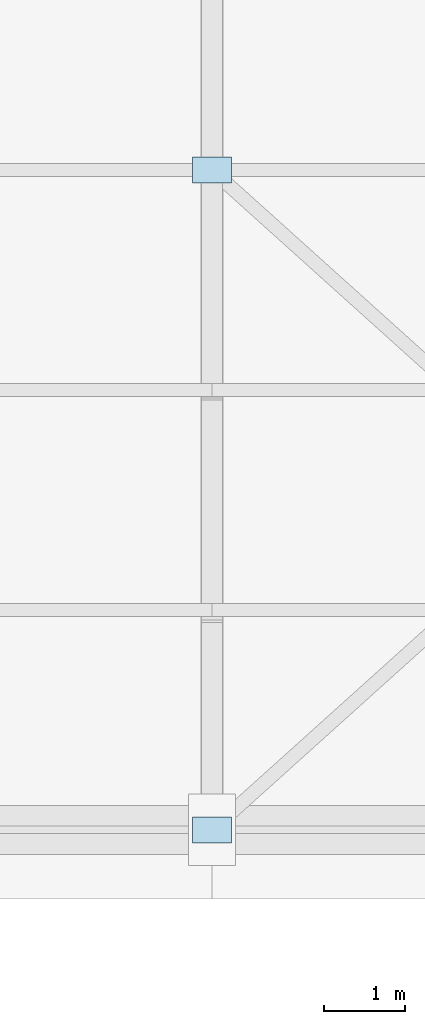
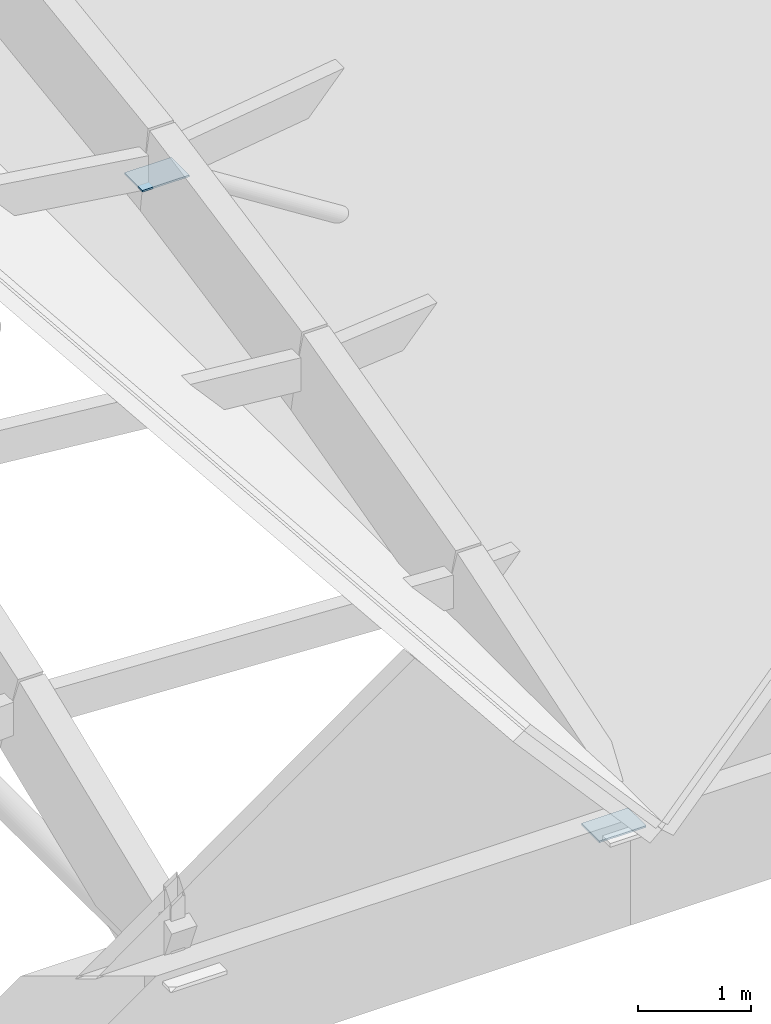
# One storey, part 32 of 39: 2 plates.
"""IFC4 building model written with IfcOpenShell, lengths in metres."""

from ifc_helpers import new_model, si_unit, direction, frame, origin, origin_2d, place, context, subcontext, project, spatial, rectangle, extrude, material, layer, layer_set, type_object, element, save


model = new_model("IFC4")

# Units and contexts
model_context = context("Model", 3, precision=1e-05, world=origin(), true_north=direction((0.0, 1.0)))
body_context = subcontext(model_context, "Body", "Model", "MODEL_VIEW")
ifc_project = project(units=[si_unit("LENGTHUNIT", "METRE"), si_unit("AREAUNIT", "SQUARE_METRE"), si_unit("VOLUMEUNIT", "CUBIC_METRE"), si_unit("PLANEANGLEUNIT", "RADIAN"), si_unit("MASSUNIT", "GRAM", prefix="KILO")], contexts=[model_context])

# Site, building, storey
site_placement = place(None, origin())
site = spatial("IfcSite", under=ifc_project, at=site_placement, CompositionType="ELEMENT")
building_placement = place(site_placement, origin())
building = spatial("IfcBuilding", under=site, at=building_placement, Name="Tizgana Railside Sports Hall", CompositionType="ELEMENT")
storey_placement = place(building_placement, frame((0.0, 0.0, 23.699951171875)))
storey = spatial("IfcBuildingStorey", under=building, at=storey_placement, Name="RF", CompositionType="ELEMENT", Elevation=23.699951171875)

# Plates
ifc_material = material(Name="Steel S355J2", Category="steel")
ifc_layer = layer(ifc_material, 0.01806640625, Name="Steel S355J2")
ifc_layer_set = layer_set([ifc_layer], Name="Steel S355J2")
plate_type = type_object("IfcPlateType", Name="Canopy Tie Gusset Plate 480x320x18", PredefinedType="USERDEFINED", material=ifc_layer_set)
for number, where, z_axis, x_axis, name in (
    (1, (124.800048828125, 40.800048828125, -2.958984375), (0.0, 0.0, 1.0), (1.0, 0.0, 0.0), "RF V2 Brace End Plate PLT-0123"),
    (2, (124.800048828125, 48.89990234375, -0.8310546875), (0.0, 0.0, 1.0), (1.0, 0.0, 0.0), "RF V2 Brace End Plate PLT-0126"),
):
    element("IfcPlate", number, at=place(storey_placement, frame(where, z_axis=z_axis, x_axis=x_axis)), inside=storey, type_object=plate_type, Name=name, ObjectType="GUSSET_PLATE", PredefinedType="USERDEFINED", context=body_context, shape_type="SweptSolid", body=[
        extrude(rectangle(XDim=0.47998046875, YDim=0.320068359375, at=origin_2d()), origin(), (0.0, 0.0, 1.0), 0.01806640625),
    ])

save(model, "model.ifc")
